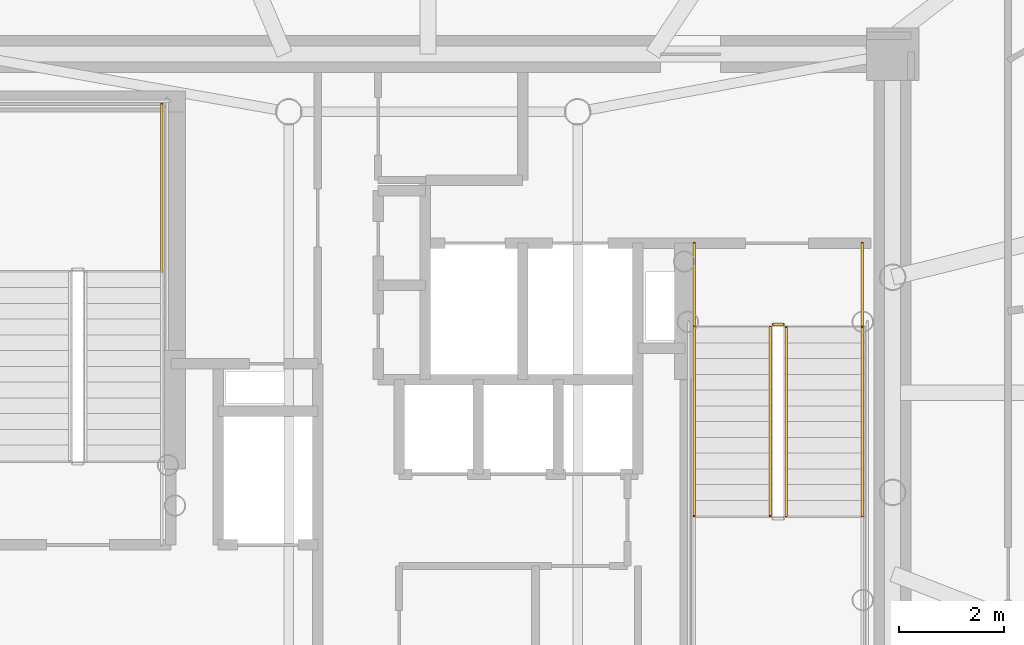
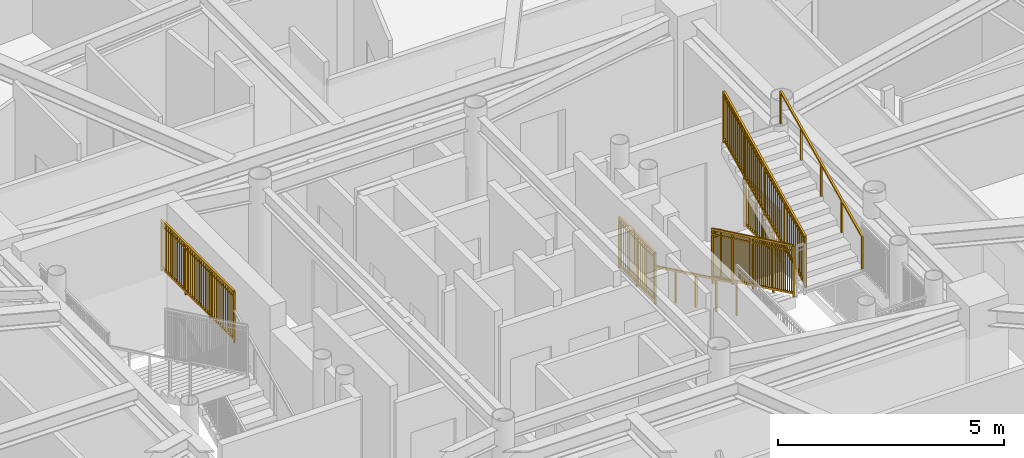
# One storey, part 16 of 17: 8 railings.
"""IFC4 building model written with IfcOpenShell, lengths in metres."""

from ifc_helpers import new_model, si_unit, direction, frame, origin, origin_2d, place, context, subcontext, project, spatial, rectangle, extrude, source, transform, mapped, material, type_object, element, save


model = new_model("IFC4")

# Units and contexts
model_context = context("Model", 3, precision=1e-05, world=origin(), true_north=direction((0.0, 1.0)))
body_context = subcontext(model_context, "Body", "Model", "MODEL_VIEW")
ifc_project = project(units=[si_unit("LENGTHUNIT", "METRE"), si_unit("AREAUNIT", "SQUARE_METRE"), si_unit("VOLUMEUNIT", "CUBIC_METRE"), si_unit("PLANEANGLEUNIT", "RADIAN"), si_unit("MASSUNIT", "GRAM", prefix="KILO")], contexts=[model_context])

# Site, building, storey
site_placement = place(None, origin())
site = spatial("IfcSite", under=ifc_project, at=site_placement, CompositionType="ELEMENT")
building_placement = place(site_placement, origin())
building = spatial("IfcBuilding", under=site, at=building_placement, Name="Linh Dai School and Residence Tower", CompositionType="ELEMENT")
storey_placement = place(building_placement, frame((0.0, 0.0, 280.5)))
storey = spatial("IfcBuildingStorey", under=building, at=storey_placement, Name="L69", CompositionType="ELEMENT", Elevation=280.5)

# Railings
ifc_material_1 = material(Name="Structural Steel S355JR", Category="steel")
railing_type_1 = type_object("IfcRailingType", Name="RL-ST-GUARD-1400", PredefinedType="GUARDRAIL", material=ifc_material_1)
shared_shape_1 = source(origin(), body_context, "Body", "SweptSolid", [
    extrude(rectangle(XDim=0.048095703125, YDim=0.048095703125, at=origin_2d()), frame((0.0, 0.0, 1.3759765625), z_axis=(0.0, 0.901262522062, 0.433273431364), x_axis=(-1.0, 0.0, 0.0)), (0.0, 0.0, 1.0), 3.994384765625),
    extrude(rectangle(XDim=0.048095703125, YDim=0.048095703125, at=origin_2d()), frame((0.0, 0.0, 0.10009765625), z_axis=(0.0, 0.901262522062, 0.433273431364), x_axis=(-1.0, 0.0, 0.0)), (0.0, 0.0, 1.0), 3.994384765625),
    extrude(rectangle(XDim=0.030029296875, YDim=0.030029296875, at=origin_2d()), frame((0.0, 0.0, 1.239990234375), z_axis=(0.0, 0.901262522062, 0.433273431364), x_axis=(-1.0, 0.0, 0.0)), (0.0, 0.0, 1.0), 3.994384765625),
    extrude(rectangle(XDim=0.02001953125, YDim=0.02001953125, at=origin_2d()), frame((0.0, 0.087890625, 0.142333984375)), (0.0, 0.0, 1.0), 1.251708984375),
    extrude(rectangle(XDim=0.02001953125, YDim=0.02001953125, at=origin_2d()), frame((0.0, 0.175537109375, 0.1845703125)), (0.0, 0.0, 1.0), 1.251708984375),
    extrude(rectangle(XDim=0.02001953125, YDim=0.02001953125, at=origin_2d()), frame((0.0, 0.263427734375, 0.226806640625)), (0.0, 0.0, 1.0), 1.251708984375),
    extrude(rectangle(XDim=0.02001953125, YDim=0.02001953125, at=origin_2d()), frame((0.0, 0.351318359375, 0.26904296875)), (0.0, 0.0, 1.0), 1.251708984375),
    extrude(rectangle(XDim=0.02001953125, YDim=0.02001953125, at=origin_2d()), frame((0.0, 0.43896484375, 0.311279296875)), (0.0, 0.0, 1.0), 1.251708984375),
    extrude(rectangle(XDim=0.02001953125, YDim=0.02001953125, at=origin_2d()), frame((0.0, 0.52685546875, 0.353271484375)), (0.0, 0.0, 1.0), 1.251708984375),
    extrude(rectangle(XDim=0.02001953125, YDim=0.02001953125, at=origin_2d()), frame((0.0, 0.61474609375, 0.3955078125)), (0.0, 0.0, 1.0), 1.251708984375),
    extrude(rectangle(XDim=0.02001953125, YDim=0.02001953125, at=origin_2d()), frame((0.0, 0.702392578125, 0.437744140625)), (0.0, 0.0, 1.0), 1.251708984375),
    extrude(rectangle(XDim=0.02001953125, YDim=0.02001953125, at=origin_2d()), frame((0.0, 0.790283203125, 0.47998046875)), (0.0, 0.0, 1.0), 1.251708984375),
    extrude(rectangle(XDim=0.02001953125, YDim=0.02001953125, at=origin_2d()), frame((0.0, 0.9658203125, 0.564453125)), (0.0, 0.0, 1.0), 1.251708984375),
    extrude(rectangle(XDim=0.02001953125, YDim=0.02001953125, at=origin_2d()), frame((0.0, 1.0537109375, 0.606689453125)), (0.0, 0.0, 1.0), 1.251708984375),
    extrude(rectangle(XDim=0.02001953125, YDim=0.02001953125, at=origin_2d()), frame((0.0, 1.1416015625, 0.64892578125)), (0.0, 0.0, 1.0), 1.251708984375),
    extrude(rectangle(XDim=0.02001953125, YDim=0.02001953125, at=origin_2d()), frame((0.0, 1.229248046875, 0.691162109375)), (0.0, 0.0, 1.0), 1.251708984375),
    extrude(rectangle(XDim=0.02001953125, YDim=0.02001953125, at=origin_2d()), frame((0.0, 1.317138671875, 0.7333984375)), (0.0, 0.0, 1.0), 1.251708984375),
    extrude(rectangle(XDim=0.02001953125, YDim=0.02001953125, at=origin_2d()), frame((0.0, 1.405029296875, 0.775390625)), (0.0, 0.0, 1.0), 1.251708984375),
    extrude(rectangle(XDim=0.02001953125, YDim=0.02001953125, at=origin_2d()), frame((0.0, 1.49267578125, 0.817626953125)), (0.0, 0.0, 1.0), 1.251708984375),
    extrude(rectangle(XDim=0.02001953125, YDim=0.02001953125, at=origin_2d()), frame((0.0, 1.58056640625, 0.85986328125)), (0.0, 0.0, 1.0), 1.251708984375),
    extrude(rectangle(XDim=0.02001953125, YDim=0.02001953125, at=origin_2d()), frame((0.0, 1.66845703125, 0.902099609375)), (0.0, 0.0, 1.0), 1.251708984375),
    extrude(rectangle(XDim=0.02001953125, YDim=0.02001953125, at=origin_2d()), frame((0.0, 1.756103515625, 0.9443359375)), (0.0, 0.0, 1.0), 1.251708984375),
    extrude(rectangle(XDim=0.02001953125, YDim=0.02001953125, at=origin_2d()), frame((0.0, 1.843994140625, 0.986572265625)), (0.0, 0.0, 1.0), 1.251708984375),
    extrude(rectangle(XDim=0.02001953125, YDim=0.02001953125, at=origin_2d()), frame((0.0, 1.931640625, 1.02880859375)), (0.0, 0.0, 1.0), 1.251708984375),
    extrude(rectangle(XDim=0.02001953125, YDim=0.02001953125, at=origin_2d()), frame((0.0, 2.01953125, 1.071044921875)), (0.0, 0.0, 1.0), 1.251708984375),
    extrude(rectangle(XDim=0.02001953125, YDim=0.02001953125, at=origin_2d()), frame((0.0, 2.107421875, 1.11328125)), (0.0, 0.0, 1.0), 1.251708984375),
    extrude(rectangle(XDim=0.02001953125, YDim=0.02001953125, at=origin_2d()), frame((0.0, 2.195068359375, 1.155517578125)), (0.0, 0.0, 1.0), 1.251708984375),
    extrude(rectangle(XDim=0.02001953125, YDim=0.02001953125, at=origin_2d()), frame((0.0, 2.282958984375, 1.197509765625)), (0.0, 0.0, 1.0), 1.251708984375),
    extrude(rectangle(XDim=0.02001953125, YDim=0.02001953125, at=origin_2d()), frame((0.0, 2.370849609375, 1.23974609375)), (0.0, 0.0, 1.0), 1.251708984375),
    extrude(rectangle(XDim=0.02001953125, YDim=0.02001953125, at=origin_2d()), frame((0.0, 2.45849609375, 1.281982421875)), (0.0, 0.0, 1.0), 1.251708984375),
    extrude(rectangle(XDim=0.02001953125, YDim=0.02001953125, at=origin_2d()), frame((0.0, 2.54638671875, 1.32421875)), (0.0, 0.0, 1.0), 1.251708984375),
    extrude(rectangle(XDim=0.02001953125, YDim=0.02001953125, at=origin_2d()), frame((0.0, 2.63427734375, 1.366455078125)), (0.0, 0.0, 1.0), 1.251708984375),
    extrude(rectangle(XDim=0.02001953125, YDim=0.02001953125, at=origin_2d()), frame((0.0, 2.809814453125, 1.450927734375)), (0.0, 0.0, 1.0), 1.251708984375),
    extrude(rectangle(XDim=0.02001953125, YDim=0.02001953125, at=origin_2d()), frame((0.0, 2.897705078125, 1.4931640625)), (0.0, 0.0, 1.0), 1.251708984375),
    extrude(rectangle(XDim=0.02001953125, YDim=0.02001953125, at=origin_2d()), frame((0.0, 2.9853515625, 1.535400390625)), (0.0, 0.0, 1.0), 1.251708984375),
    extrude(rectangle(XDim=0.02001953125, YDim=0.02001953125, at=origin_2d()), frame((0.0, 3.0732421875, 1.57763671875)), (0.0, 0.0, 1.0), 1.251708984375),
    extrude(rectangle(XDim=0.02001953125, YDim=0.02001953125, at=origin_2d()), frame((0.0, 3.1611328125, 1.61962890625)), (0.0, 0.0, 1.0), 1.251708984375),
    extrude(rectangle(XDim=0.02001953125, YDim=0.02001953125, at=origin_2d()), frame((0.0, 3.248779296875, 1.661865234375)), (0.0, 0.0, 1.0), 1.251708984375),
    extrude(rectangle(XDim=0.02001953125, YDim=0.02001953125, at=origin_2d()), frame((0.0, 3.336669921875, 1.7041015625)), (0.0, 0.0, 1.0), 1.251708984375),
    extrude(rectangle(XDim=0.02001953125, YDim=0.02001953125, at=origin_2d()), frame((0.0, 3.424560546875, 1.746337890625)), (0.0, 0.0, 1.0), 1.251708984375),
    extrude(rectangle(XDim=0.02001953125, YDim=0.02001953125, at=origin_2d()), frame((0.0, 3.51220703125, 1.78857421875)), (0.0, 0.0, 1.0), 1.251708984375),
    extrude(rectangle(XDim=0.0419921875, YDim=0.0419921875, at=origin_2d()), origin(), (0.0, 0.0, 1.0), 1.3759765625),
    extrude(rectangle(XDim=0.0419921875, YDim=0.0419921875, at=origin_2d()), frame((0.0, 0.89990234375, 0.4326171875)), (0.0, 0.0, 1.0), 1.3759765625),
    extrude(rectangle(XDim=0.0419921875, YDim=0.0419921875, at=origin_2d()), frame((0.0, 1.800048828125, 0.865234375)), (0.0, 0.0, 1.0), 1.3759765625),
    extrude(rectangle(XDim=0.0419921875, YDim=0.0419921875, at=origin_2d()), frame((0.0, 2.7001953125, 1.298095703125)), (0.0, 0.0, 1.0), 1.3759765625),
    extrude(rectangle(XDim=0.0419921875, YDim=0.0419921875, at=origin_2d()), frame((0.0, 3.60009765625, 1.730712890625)), (0.0, 0.0, 1.0), 1.3759765625),
])
railing_1_placement = place(storey_placement, frame((42.820068359375, 24.64990234375, 2.019287109375)))
element("IfcRailing", 1, at=railing_1_placement, inside=storey, type_object=railing_type_1, Name="L69 ST2 stair guard 6", PredefinedType="GUARDRAIL", context=body_context, shape_type="MappedRepresentation", body=[
    mapped(shared_shape_1, transform((0.0, 0.0, 0.0), x_axis=(1.0, 0.0, 0.0), y_axis=(0.0, 1.0, 0.0), z_axis=(0.0, 0.0, 1.0), scale=1.0)),
])
shared_shape_2 = source(origin(), body_context, "Body", "SweptSolid", [
    extrude(rectangle(XDim=0.048095703125, YDim=0.048095703125, at=origin_2d()), frame((0.0, 0.0, 1.3759765625), z_axis=(0.0, 1.0, 0.0), x_axis=(-1.0, 0.0, 0.0)), (0.0, 0.0, 1.0), 3.199951171875),
    extrude(rectangle(XDim=0.048095703125, YDim=0.048095703125, at=origin_2d()), frame((0.0, 0.0, 0.10009765625), z_axis=(0.0, 1.0, 0.0), x_axis=(-1.0, 0.0, 0.0)), (0.0, 0.0, 1.0), 3.199951171875),
    extrude(rectangle(XDim=0.030029296875, YDim=0.030029296875, at=origin_2d()), frame((0.0, 0.0, 1.239990234375), z_axis=(0.0, 1.0, 0.0), x_axis=(-1.0, 0.0, 0.0)), (0.0, 0.0, 1.0), 3.199951171875),
    extrude(rectangle(XDim=0.02001953125, YDim=0.02001953125, at=origin_2d()), frame((0.0, 0.096923828125, 0.10009765625)), (0.0, 0.0, 1.0), 1.251708984375),
    extrude(rectangle(XDim=0.02001953125, YDim=0.02001953125, at=origin_2d()), frame((0.0, 0.19384765625, 0.10009765625)), (0.0, 0.0, 1.0), 1.251708984375),
    extrude(rectangle(XDim=0.02001953125, YDim=0.02001953125, at=origin_2d()), frame((0.0, 0.291015625, 0.10009765625)), (0.0, 0.0, 1.0), 1.251708984375),
    extrude(rectangle(XDim=0.02001953125, YDim=0.02001953125, at=origin_2d()), frame((0.0, 0.387939453125, 0.10009765625)), (0.0, 0.0, 1.0), 1.251708984375),
    extrude(rectangle(XDim=0.02001953125, YDim=0.02001953125, at=origin_2d()), frame((0.0, 0.48486328125, 0.10009765625)), (0.0, 0.0, 1.0), 1.251708984375),
    extrude(rectangle(XDim=0.02001953125, YDim=0.02001953125, at=origin_2d()), frame((0.0, 0.581787109375, 0.10009765625)), (0.0, 0.0, 1.0), 1.251708984375),
    extrude(rectangle(XDim=0.02001953125, YDim=0.02001953125, at=origin_2d()), frame((0.0, 0.6787109375, 0.10009765625)), (0.0, 0.0, 1.0), 1.251708984375),
    extrude(rectangle(XDim=0.02001953125, YDim=0.02001953125, at=origin_2d()), frame((0.0, 0.775634765625, 0.10009765625)), (0.0, 0.0, 1.0), 1.251708984375),
    extrude(rectangle(XDim=0.02001953125, YDim=0.02001953125, at=origin_2d()), frame((0.0, 0.872802734375, 0.10009765625)), (0.0, 0.0, 1.0), 1.251708984375),
    extrude(rectangle(XDim=0.02001953125, YDim=0.02001953125, at=origin_2d()), frame((0.0, 0.9697265625, 0.10009765625)), (0.0, 0.0, 1.0), 1.251708984375),
    extrude(rectangle(XDim=0.02001953125, YDim=0.02001953125, at=origin_2d()), frame((0.0, 1.16357421875, 0.10009765625)), (0.0, 0.0, 1.0), 1.251708984375),
    extrude(rectangle(XDim=0.02001953125, YDim=0.02001953125, at=origin_2d()), frame((0.0, 1.260498046875, 0.10009765625)), (0.0, 0.0, 1.0), 1.251708984375),
    extrude(rectangle(XDim=0.02001953125, YDim=0.02001953125, at=origin_2d()), frame((0.0, 1.357666015625, 0.10009765625)), (0.0, 0.0, 1.0), 1.251708984375),
    extrude(rectangle(XDim=0.02001953125, YDim=0.02001953125, at=origin_2d()), frame((0.0, 1.45458984375, 0.10009765625)), (0.0, 0.0, 1.0), 1.251708984375),
    extrude(rectangle(XDim=0.02001953125, YDim=0.02001953125, at=origin_2d()), frame((0.0, 1.551513671875, 0.10009765625)), (0.0, 0.0, 1.0), 1.251708984375),
    extrude(rectangle(XDim=0.02001953125, YDim=0.02001953125, at=origin_2d()), frame((0.0, 1.6484375, 0.10009765625)), (0.0, 0.0, 1.0), 1.251708984375),
    extrude(rectangle(XDim=0.02001953125, YDim=0.02001953125, at=origin_2d()), frame((0.0, 1.745361328125, 0.10009765625)), (0.0, 0.0, 1.0), 1.251708984375),
    extrude(rectangle(XDim=0.02001953125, YDim=0.02001953125, at=origin_2d()), frame((0.0, 1.84228515625, 0.10009765625)), (0.0, 0.0, 1.0), 1.251708984375),
    extrude(rectangle(XDim=0.02001953125, YDim=0.02001953125, at=origin_2d()), frame((0.0, 1.939453125, 0.10009765625)), (0.0, 0.0, 1.0), 1.251708984375),
    extrude(rectangle(XDim=0.02001953125, YDim=0.02001953125, at=origin_2d()), frame((0.0, 2.036376953125, 0.10009765625)), (0.0, 0.0, 1.0), 1.251708984375),
    extrude(rectangle(XDim=0.02001953125, YDim=0.02001953125, at=origin_2d()), frame((0.0, 2.230224609375, 0.10009765625)), (0.0, 0.0, 1.0), 1.251708984375),
    extrude(rectangle(XDim=0.02001953125, YDim=0.02001953125, at=origin_2d()), frame((0.0, 2.3271484375, 0.10009765625)), (0.0, 0.0, 1.0), 1.251708984375),
    extrude(rectangle(XDim=0.02001953125, YDim=0.02001953125, at=origin_2d()), frame((0.0, 2.42431640625, 0.10009765625)), (0.0, 0.0, 1.0), 1.251708984375),
    extrude(rectangle(XDim=0.02001953125, YDim=0.02001953125, at=origin_2d()), frame((0.0, 2.521240234375, 0.10009765625)), (0.0, 0.0, 1.0), 1.251708984375),
    extrude(rectangle(XDim=0.02001953125, YDim=0.02001953125, at=origin_2d()), frame((0.0, 2.6181640625, 0.10009765625)), (0.0, 0.0, 1.0), 1.251708984375),
    extrude(rectangle(XDim=0.02001953125, YDim=0.02001953125, at=origin_2d()), frame((0.0, 2.715087890625, 0.10009765625)), (0.0, 0.0, 1.0), 1.251708984375),
    extrude(rectangle(XDim=0.02001953125, YDim=0.02001953125, at=origin_2d()), frame((0.0, 2.81201171875, 0.10009765625)), (0.0, 0.0, 1.0), 1.251708984375),
    extrude(rectangle(XDim=0.02001953125, YDim=0.02001953125, at=origin_2d()), frame((0.0, 2.908935546875, 0.10009765625)), (0.0, 0.0, 1.0), 1.251708984375),
    extrude(rectangle(XDim=0.02001953125, YDim=0.02001953125, at=origin_2d()), frame((0.0, 3.006103515625, 0.10009765625)), (0.0, 0.0, 1.0), 1.251708984375),
    extrude(rectangle(XDim=0.02001953125, YDim=0.02001953125, at=origin_2d()), frame((0.0, 3.10302734375, 0.10009765625)), (0.0, 0.0, 1.0), 1.251708984375),
    extrude(rectangle(XDim=0.0419921875, YDim=0.0419921875, at=origin_2d()), origin(), (0.0, 0.0, 1.0), 1.3759765625),
    extrude(rectangle(XDim=0.0419921875, YDim=0.0419921875, at=origin_2d()), frame((0.0, 1.066650390625, 0.0)), (0.0, 0.0, 1.0), 1.3759765625),
    extrude(rectangle(XDim=0.0419921875, YDim=0.0419921875, at=origin_2d()), frame((0.0, 2.13330078125, 0.0)), (0.0, 0.0, 1.0), 1.3759765625),
    extrude(rectangle(XDim=0.0419921875, YDim=0.0419921875, at=origin_2d()), frame((0.0, 3.199951171875, 0.0)), (0.0, 0.0, 1.0), 1.3759765625),
])
railing_2_placement = place(storey_placement, frame((30.929931640625, 29.300048828125, 1.875)))
element("IfcRailing", 2, at=railing_2_placement, inside=storey, type_object=railing_type_1, Name="L69 ST1 stair guard 3", PredefinedType="GUARDRAIL", context=body_context, shape_type="MappedRepresentation", body=[
    mapped(shared_shape_2, transform((0.0, 0.0, 0.0), x_axis=(1.0, 0.0, 0.0), y_axis=(0.0, 1.0, 0.0), z_axis=(0.0, 0.0, 1.0), scale=1.0)),
])
shared_shape_3 = source(origin(), body_context, "Body", "SweptSolid", [
    extrude(rectangle(XDim=0.048095703125, YDim=0.048095703125, at=origin_2d()), frame((0.0, 0.0, 1.3759765625), z_axis=(0.0, -0.901262522062, 0.433273431364), x_axis=(1.0, 0.0, 0.0)), (0.0, 0.0, 1.0), 3.994384765625),
    extrude(rectangle(XDim=0.048095703125, YDim=0.048095703125, at=origin_2d()), frame((0.0, 0.0, 0.10009765625), z_axis=(0.0, -0.901262522062, 0.433273431364), x_axis=(1.0, 0.0, 0.0)), (0.0, 0.0, 1.0), 3.994384765625),
    extrude(rectangle(XDim=0.030029296875, YDim=0.030029296875, at=origin_2d()), frame((0.0, 0.0, 1.239990234375), z_axis=(0.0, -0.901262522062, 0.433273431364), x_axis=(1.0, 0.0, 0.0)), (0.0, 0.0, 1.0), 3.994384765625),
    extrude(rectangle(XDim=0.02001953125, YDim=0.02001953125, at=origin_2d()), frame((0.0, -0.087890625, 0.142333984375)), (0.0, 0.0, 1.0), 1.251708984375),
    extrude(rectangle(XDim=0.02001953125, YDim=0.02001953125, at=origin_2d()), frame((0.0, -0.175537109375, 0.1845703125)), (0.0, 0.0, 1.0), 1.251708984375),
    extrude(rectangle(XDim=0.02001953125, YDim=0.02001953125, at=origin_2d()), frame((0.0, -0.263427734375, 0.226806640625)), (0.0, 0.0, 1.0), 1.251708984375),
    extrude(rectangle(XDim=0.02001953125, YDim=0.02001953125, at=origin_2d()), frame((0.0, -0.351318359375, 0.26904296875)), (0.0, 0.0, 1.0), 1.251708984375),
    extrude(rectangle(XDim=0.02001953125, YDim=0.02001953125, at=origin_2d()), frame((0.0, -0.43896484375, 0.311279296875)), (0.0, 0.0, 1.0), 1.251708984375),
    extrude(rectangle(XDim=0.02001953125, YDim=0.02001953125, at=origin_2d()), frame((0.0, -0.52685546875, 0.353271484375)), (0.0, 0.0, 1.0), 1.251708984375),
    extrude(rectangle(XDim=0.02001953125, YDim=0.02001953125, at=origin_2d()), frame((0.0, -0.61474609375, 0.3955078125)), (0.0, 0.0, 1.0), 1.251708984375),
    extrude(rectangle(XDim=0.02001953125, YDim=0.02001953125, at=origin_2d()), frame((0.0, -0.702392578125, 0.437744140625)), (0.0, 0.0, 1.0), 1.251708984375),
    extrude(rectangle(XDim=0.02001953125, YDim=0.02001953125, at=origin_2d()), frame((0.0, -0.790283203125, 0.47998046875)), (0.0, 0.0, 1.0), 1.251708984375),
    extrude(rectangle(XDim=0.02001953125, YDim=0.02001953125, at=origin_2d()), frame((0.0, -0.9658203125, 0.564453125)), (0.0, 0.0, 1.0), 1.251708984375),
    extrude(rectangle(XDim=0.02001953125, YDim=0.02001953125, at=origin_2d()), frame((0.0, -1.0537109375, 0.606689453125)), (0.0, 0.0, 1.0), 1.251708984375),
    extrude(rectangle(XDim=0.02001953125, YDim=0.02001953125, at=origin_2d()), frame((0.0, -1.1416015625, 0.64892578125)), (0.0, 0.0, 1.0), 1.251708984375),
    extrude(rectangle(XDim=0.02001953125, YDim=0.02001953125, at=origin_2d()), frame((0.0, -1.229248046875, 0.691162109375)), (0.0, 0.0, 1.0), 1.251708984375),
    extrude(rectangle(XDim=0.02001953125, YDim=0.02001953125, at=origin_2d()), frame((0.0, -1.317138671875, 0.7333984375)), (0.0, 0.0, 1.0), 1.251708984375),
    extrude(rectangle(XDim=0.02001953125, YDim=0.02001953125, at=origin_2d()), frame((0.0, -1.405029296875, 0.775390625)), (0.0, 0.0, 1.0), 1.251708984375),
    extrude(rectangle(XDim=0.02001953125, YDim=0.02001953125, at=origin_2d()), frame((0.0, -1.49267578125, 0.817626953125)), (0.0, 0.0, 1.0), 1.251708984375),
    extrude(rectangle(XDim=0.02001953125, YDim=0.02001953125, at=origin_2d()), frame((0.0, -1.58056640625, 0.85986328125)), (0.0, 0.0, 1.0), 1.251708984375),
    extrude(rectangle(XDim=0.02001953125, YDim=0.02001953125, at=origin_2d()), frame((0.0, -1.66845703125, 0.902099609375)), (0.0, 0.0, 1.0), 1.251708984375),
    extrude(rectangle(XDim=0.02001953125, YDim=0.02001953125, at=origin_2d()), frame((0.0, -1.756103515625, 0.9443359375)), (0.0, 0.0, 1.0), 1.251708984375),
    extrude(rectangle(XDim=0.02001953125, YDim=0.02001953125, at=origin_2d()), frame((0.0, -1.843994140625, 0.986572265625)), (0.0, 0.0, 1.0), 1.251708984375),
    extrude(rectangle(XDim=0.02001953125, YDim=0.02001953125, at=origin_2d()), frame((0.0, -1.931640625, 1.02880859375)), (0.0, 0.0, 1.0), 1.251708984375),
    extrude(rectangle(XDim=0.02001953125, YDim=0.02001953125, at=origin_2d()), frame((0.0, -2.01953125, 1.071044921875)), (0.0, 0.0, 1.0), 1.251708984375),
    extrude(rectangle(XDim=0.02001953125, YDim=0.02001953125, at=origin_2d()), frame((0.0, -2.107421875, 1.11328125)), (0.0, 0.0, 1.0), 1.251708984375),
    extrude(rectangle(XDim=0.02001953125, YDim=0.02001953125, at=origin_2d()), frame((0.0, -2.195068359375, 1.155517578125)), (0.0, 0.0, 1.0), 1.251708984375),
    extrude(rectangle(XDim=0.02001953125, YDim=0.02001953125, at=origin_2d()), frame((0.0, -2.282958984375, 1.197509765625)), (0.0, 0.0, 1.0), 1.251708984375),
    extrude(rectangle(XDim=0.02001953125, YDim=0.02001953125, at=origin_2d()), frame((0.0, -2.370849609375, 1.23974609375)), (0.0, 0.0, 1.0), 1.251708984375),
    extrude(rectangle(XDim=0.02001953125, YDim=0.02001953125, at=origin_2d()), frame((0.0, -2.45849609375, 1.281982421875)), (0.0, 0.0, 1.0), 1.251708984375),
    extrude(rectangle(XDim=0.02001953125, YDim=0.02001953125, at=origin_2d()), frame((0.0, -2.54638671875, 1.32421875)), (0.0, 0.0, 1.0), 1.251708984375),
    extrude(rectangle(XDim=0.02001953125, YDim=0.02001953125, at=origin_2d()), frame((0.0, -2.63427734375, 1.366455078125)), (0.0, 0.0, 1.0), 1.251708984375),
    extrude(rectangle(XDim=0.02001953125, YDim=0.02001953125, at=origin_2d()), frame((0.0, -2.809814453125, 1.450927734375)), (0.0, 0.0, 1.0), 1.251708984375),
    extrude(rectangle(XDim=0.02001953125, YDim=0.02001953125, at=origin_2d()), frame((0.0, -2.897705078125, 1.4931640625)), (0.0, 0.0, 1.0), 1.251708984375),
    extrude(rectangle(XDim=0.02001953125, YDim=0.02001953125, at=origin_2d()), frame((0.0, -2.9853515625, 1.535400390625)), (0.0, 0.0, 1.0), 1.251708984375),
    extrude(rectangle(XDim=0.02001953125, YDim=0.02001953125, at=origin_2d()), frame((0.0, -3.0732421875, 1.57763671875)), (0.0, 0.0, 1.0), 1.251708984375),
    extrude(rectangle(XDim=0.02001953125, YDim=0.02001953125, at=origin_2d()), frame((0.0, -3.1611328125, 1.61962890625)), (0.0, 0.0, 1.0), 1.251708984375),
    extrude(rectangle(XDim=0.02001953125, YDim=0.02001953125, at=origin_2d()), frame((0.0, -3.248779296875, 1.661865234375)), (0.0, 0.0, 1.0), 1.251708984375),
    extrude(rectangle(XDim=0.02001953125, YDim=0.02001953125, at=origin_2d()), frame((0.0, -3.336669921875, 1.7041015625)), (0.0, 0.0, 1.0), 1.251708984375),
    extrude(rectangle(XDim=0.02001953125, YDim=0.02001953125, at=origin_2d()), frame((0.0, -3.424560546875, 1.746337890625)), (0.0, 0.0, 1.0), 1.251708984375),
    extrude(rectangle(XDim=0.02001953125, YDim=0.02001953125, at=origin_2d()), frame((0.0, -3.51220703125, 1.78857421875)), (0.0, 0.0, 1.0), 1.251708984375),
    extrude(rectangle(XDim=0.0419921875, YDim=0.0419921875, at=origin_2d()), origin(), (0.0, 0.0, 1.0), 1.3759765625),
    extrude(rectangle(XDim=0.0419921875, YDim=0.0419921875, at=origin_2d()), frame((0.0, -0.89990234375, 0.4326171875)), (0.0, 0.0, 1.0), 1.3759765625),
    extrude(rectangle(XDim=0.0419921875, YDim=0.0419921875, at=origin_2d()), frame((0.0, -1.800048828125, 0.865234375)), (0.0, 0.0, 1.0), 1.3759765625),
    extrude(rectangle(XDim=0.0419921875, YDim=0.0419921875, at=origin_2d()), frame((0.0, -2.7001953125, 1.298095703125)), (0.0, 0.0, 1.0), 1.3759765625),
    extrude(rectangle(XDim=0.0419921875, YDim=0.0419921875, at=origin_2d()), frame((0.0, -3.60009765625, 1.730712890625)), (0.0, 0.0, 1.0), 1.3759765625),
])
railing_3_placement = place(storey_placement, frame((42.52001953125, 28.25, 0.144287109375)))
element("IfcRailing", 3, at=railing_3_placement, inside=storey, type_object=railing_type_1, Name="L69 ST2 stair guard 1", PredefinedType="GUARDRAIL", context=body_context, shape_type="MappedRepresentation", body=[
    mapped(shared_shape_3, transform((0.0, 0.0, 0.0), x_axis=(1.0, 0.0, 0.0), y_axis=(0.0, 1.0, 0.0), z_axis=(0.0, 0.0, 1.0), scale=1.0)),
])
ifc_material_2 = material(Name="Brushed Stainless Steel Handrail", Category="steel")
railing_type_2 = type_object("IfcRailingType", Name="RL-ST-HANDRAIL-900", PredefinedType="HANDRAIL", material=ifc_material_2)
shared_shape_4 = source(origin(), body_context, "Body", "SweptSolid", [
    extrude(rectangle(XDim=0.048095703125, YDim=0.048095703125, at=origin_2d()), frame((0.0, 0.0, 0.8759765625), z_axis=(0.0, 0.901262522062, 0.433273431364), x_axis=(-1.0, 0.0, 0.0)), (0.0, 0.0, 1.0), 3.994384765625),
    extrude(rectangle(XDim=0.0419921875, YDim=0.0419921875, at=origin_2d()), origin(), (0.0, 0.0, 1.0), 0.8759765625),
    extrude(rectangle(XDim=0.0419921875, YDim=0.0419921875, at=origin_2d()), frame((0.0, 0.89990234375, 0.4326171875)), (0.0, 0.0, 1.0), 0.8759765625),
    extrude(rectangle(XDim=0.0419921875, YDim=0.0419921875, at=origin_2d()), frame((0.0, 1.800048828125, 0.865234375)), (0.0, 0.0, 1.0), 0.8759765625),
    extrude(rectangle(XDim=0.0419921875, YDim=0.0419921875, at=origin_2d()), frame((0.0, 2.7001953125, 1.298095703125)), (0.0, 0.0, 1.0), 0.8759765625),
    extrude(rectangle(XDim=0.0419921875, YDim=0.0419921875, at=origin_2d()), frame((0.0, 3.60009765625, 1.730712890625)), (0.0, 0.0, 1.0), 0.8759765625),
])
railing_4_placement = place(storey_placement, frame((44.27001953125, 24.64990234375, 2.019287109375)))
element("IfcRailing", 4, at=railing_4_placement, inside=storey, type_object=railing_type_2, Name="L69 ST2 stair handrail 2", PredefinedType="HANDRAIL", context=body_context, shape_type="MappedRepresentation", body=[
    mapped(shared_shape_4, transform((0.0, 0.0, 0.0), x_axis=(1.0, 0.0, 0.0), y_axis=(0.0, 1.0, 0.0), z_axis=(0.0, 0.0, 1.0), scale=1.0)),
])
shared_shape_5 = source(origin(), body_context, "Body", "SweptSolid", [
    extrude(rectangle(XDim=0.048095703125, YDim=0.048095703125, at=origin_2d()), frame((0.0, 0.0, 0.8759765625), z_axis=(0.0, -0.901262522062, 0.433273431364), x_axis=(1.0, 0.0, 0.0)), (0.0, 0.0, 1.0), 3.994384765625),
    extrude(rectangle(XDim=0.0419921875, YDim=0.0419921875, at=origin_2d()), origin(), (0.0, 0.0, 1.0), 0.8759765625),
    extrude(rectangle(XDim=0.0419921875, YDim=0.0419921875, at=origin_2d()), frame((0.0, -0.89990234375, 0.4326171875)), (0.0, 0.0, 1.0), 0.8759765625),
    extrude(rectangle(XDim=0.0419921875, YDim=0.0419921875, at=origin_2d()), frame((0.0, -1.800048828125, 0.865234375)), (0.0, 0.0, 1.0), 0.8759765625),
    extrude(rectangle(XDim=0.0419921875, YDim=0.0419921875, at=origin_2d()), frame((0.0, -2.7001953125, 1.298095703125)), (0.0, 0.0, 1.0), 0.8759765625),
    extrude(rectangle(XDim=0.0419921875, YDim=0.0419921875, at=origin_2d()), frame((0.0, -3.60009765625, 1.730712890625)), (0.0, 0.0, 1.0), 0.8759765625),
])
railing_5_placement = place(storey_placement, frame((41.070068359375, 28.25, 0.144287109375)))
element("IfcRailing", 5, at=railing_5_placement, inside=storey, type_object=railing_type_2, Name="L69 ST2 stair handrail 1", PredefinedType="HANDRAIL", context=body_context, shape_type="MappedRepresentation", body=[
    mapped(shared_shape_5, transform((0.0, 0.0, 0.0), x_axis=(1.0, 0.0, 0.0), y_axis=(0.0, 1.0, 0.0), z_axis=(0.0, 0.0, 1.0), scale=1.0)),
])
shared_shape_6 = source(origin(), body_context, "Body", "SweptSolid", [
    extrude(rectangle(XDim=0.048095703125, YDim=0.048095703125, at=origin_2d()), frame((0.0, 0.0, 1.3759765625), z_axis=(1.0, 0.0, 0.0), x_axis=(0.0, 1.0, 0.0)), (0.0, 0.0, 1.0), 0.199951171875),
    extrude(rectangle(XDim=0.048095703125, YDim=0.048095703125, at=origin_2d()), frame((0.0, 0.0, 0.10009765625), z_axis=(1.0, 0.0, 0.0), x_axis=(0.0, 1.0, 0.0)), (0.0, 0.0, 1.0), 0.199951171875),
    extrude(rectangle(XDim=0.030029296875, YDim=0.030029296875, at=origin_2d()), frame((0.0, 0.0, 1.239990234375), z_axis=(1.0, 0.0, 0.0), x_axis=(0.0, 1.0, 0.0)), (0.0, 0.0, 1.0), 0.199951171875),
    extrude(rectangle(XDim=0.0419921875, YDim=0.0419921875, at=origin_2d()), origin(), (0.0, 0.0, 1.0), 1.3759765625),
    extrude(rectangle(XDim=0.0419921875, YDim=0.0419921875, at=origin_2d()), frame((0.199951171875, 0.0, 0.0)), (0.0, 0.0, 1.0), 1.3759765625),
])
railing_6_placement = place(storey_placement, frame((42.570068359375, 28.300048828125, 0.0)))
element("IfcRailing", 6, at=railing_6_placement, inside=storey, type_object=railing_type_1, Name="L69 ST2 stair guard 7", PredefinedType="GUARDRAIL", context=body_context, shape_type="MappedRepresentation", body=[
    mapped(shared_shape_6, transform((0.0, 0.0, 0.0), x_axis=(1.0, 0.0, 0.0), y_axis=(0.0, 1.0, 0.0), z_axis=(0.0, 0.0, 1.0), scale=1.0)),
])
shared_shape_7 = source(origin(), body_context, "Body", "SweptSolid", [
    extrude(rectangle(XDim=0.048095703125, YDim=0.048095703125, at=origin_2d()), frame((0.0, 0.0, 1.3759765625), z_axis=(0.0, -1.0, 0.0), x_axis=(1.0, 0.0, 0.0)), (0.0, 0.0, 1.0), 1.60009765625),
    extrude(rectangle(XDim=0.048095703125, YDim=0.048095703125, at=origin_2d()), frame((0.0, 0.0, 0.10009765625), z_axis=(0.0, -1.0, 0.0), x_axis=(1.0, 0.0, 0.0)), (0.0, 0.0, 1.0), 1.60009765625),
    extrude(rectangle(XDim=0.030029296875, YDim=0.030029296875, at=origin_2d()), frame((0.0, 0.0, 1.239990234375), z_axis=(0.0, -1.0, 0.0), x_axis=(1.0, 0.0, 0.0)), (0.0, 0.0, 1.0), 1.60009765625),
    extrude(rectangle(XDim=0.02001953125, YDim=0.02001953125, at=origin_2d()), frame((0.0, -0.09423828125, 0.10009765625)), (0.0, 0.0, 1.0), 1.251708984375),
    extrude(rectangle(XDim=0.02001953125, YDim=0.02001953125, at=origin_2d()), frame((0.0, -0.188232421875, 0.10009765625)), (0.0, 0.0, 1.0), 1.251708984375),
    extrude(rectangle(XDim=0.02001953125, YDim=0.02001953125, at=origin_2d()), frame((0.0, -0.282470703125, 0.10009765625)), (0.0, 0.0, 1.0), 1.251708984375),
    extrude(rectangle(XDim=0.02001953125, YDim=0.02001953125, at=origin_2d()), frame((0.0, -0.37646484375, 0.10009765625)), (0.0, 0.0, 1.0), 1.251708984375),
    extrude(rectangle(XDim=0.02001953125, YDim=0.02001953125, at=origin_2d()), frame((0.0, -0.470703125, 0.10009765625)), (0.0, 0.0, 1.0), 1.251708984375),
    extrude(rectangle(XDim=0.02001953125, YDim=0.02001953125, at=origin_2d()), frame((0.0, -0.564697265625, 0.10009765625)), (0.0, 0.0, 1.0), 1.251708984375),
    extrude(rectangle(XDim=0.02001953125, YDim=0.02001953125, at=origin_2d()), frame((0.0, -0.658935546875, 0.10009765625)), (0.0, 0.0, 1.0), 1.251708984375),
    extrude(rectangle(XDim=0.02001953125, YDim=0.02001953125, at=origin_2d()), frame((0.0, -0.7529296875, 0.10009765625)), (0.0, 0.0, 1.0), 1.251708984375),
    extrude(rectangle(XDim=0.02001953125, YDim=0.02001953125, at=origin_2d()), frame((0.0, -0.84716796875, 0.10009765625)), (0.0, 0.0, 1.0), 1.251708984375),
    extrude(rectangle(XDim=0.02001953125, YDim=0.02001953125, at=origin_2d()), frame((0.0, -0.941162109375, 0.10009765625)), (0.0, 0.0, 1.0), 1.251708984375),
    extrude(rectangle(XDim=0.02001953125, YDim=0.02001953125, at=origin_2d()), frame((0.0, -1.035400390625, 0.10009765625)), (0.0, 0.0, 1.0), 1.251708984375),
    extrude(rectangle(XDim=0.02001953125, YDim=0.02001953125, at=origin_2d()), frame((0.0, -1.12939453125, 0.10009765625)), (0.0, 0.0, 1.0), 1.251708984375),
    extrude(rectangle(XDim=0.02001953125, YDim=0.02001953125, at=origin_2d()), frame((0.0, -1.2236328125, 0.10009765625)), (0.0, 0.0, 1.0), 1.251708984375),
    extrude(rectangle(XDim=0.02001953125, YDim=0.02001953125, at=origin_2d()), frame((0.0, -1.317626953125, 0.10009765625)), (0.0, 0.0, 1.0), 1.251708984375),
    extrude(rectangle(XDim=0.02001953125, YDim=0.02001953125, at=origin_2d()), frame((0.0, -1.411865234375, 0.10009765625)), (0.0, 0.0, 1.0), 1.251708984375),
    extrude(rectangle(XDim=0.02001953125, YDim=0.02001953125, at=origin_2d()), frame((0.0, -1.505859375, 0.10009765625)), (0.0, 0.0, 1.0), 1.251708984375),
    extrude(rectangle(XDim=0.0419921875, YDim=0.0419921875, at=origin_2d()), origin(), (0.0, 0.0, 1.0), 1.3759765625),
    extrude(rectangle(XDim=0.0419921875, YDim=0.0419921875, at=origin_2d()), frame((0.0, -0.800048828125, 0.0)), (0.0, 0.0, 1.0), 1.3759765625),
    extrude(rectangle(XDim=0.0419921875, YDim=0.0419921875, at=origin_2d()), frame((0.0, -1.60009765625, 0.0)), (0.0, 0.0, 1.0), 1.3759765625),
])
for number, where, name in (
    (7, (41.070068359375, 29.85009765625, 0.0), "L69 ST2 stair guard 8"),
    (8, (44.27001953125, 29.85009765625, 0.0), "L69 ST2 stair guard 9"),
):
    element("IfcRailing", number, at=place(storey_placement, frame(where)), inside=storey, type_object=railing_type_1, Name=name, PredefinedType="GUARDRAIL", context=body_context, shape_type="MappedRepresentation", body=[
        mapped(shared_shape_7, transform((0.0, 0.0, 0.0), x_axis=(1.0, 0.0, 0.0), y_axis=(0.0, 1.0, 0.0), z_axis=(0.0, 0.0, 1.0), scale=1.0)),
    ])

save(model, "model.ifc")
